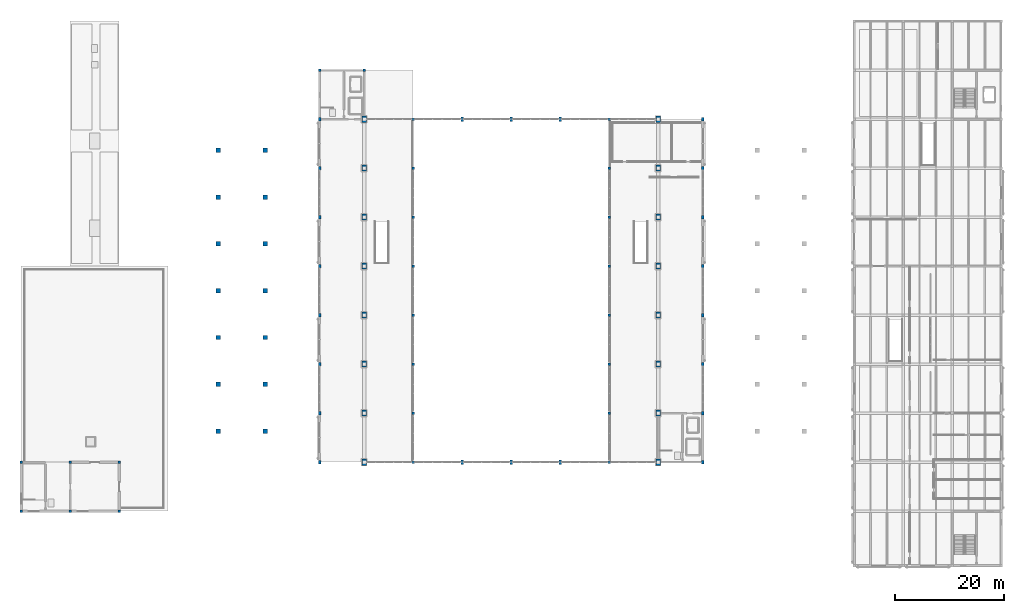
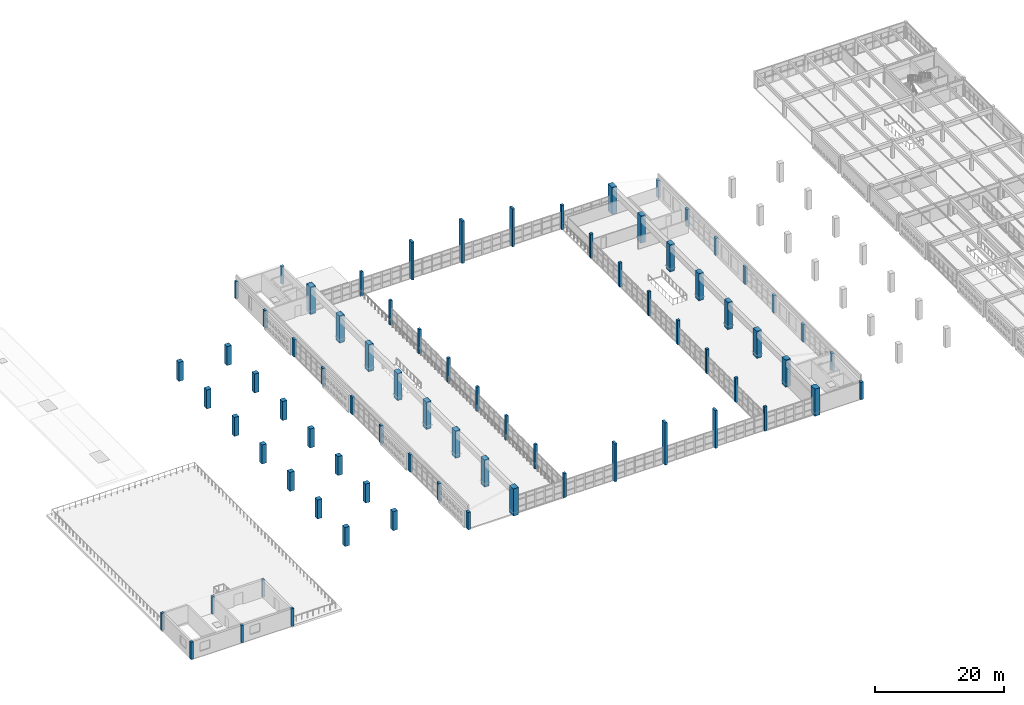
# One storey, part 1 of 80: 76 columns.
"""IFC4 building model written with IfcOpenShell, lengths in metres."""

import ifcopenshell
import ifcopenshell.guid

model = None  # the IFC model being written
_history = None  # IfcOwnerHistory: only IFC2X3 demands one
_inside = {}  # id of a spatial element -> (the spatial element, [elements in it])
_under = {}  # id of a project, library or spatial element -> (it, [spatial elements below it])
_declared = {}  # id of a project -> (the project, [libraries it declares])
_typed = {}  # id of a type object -> (the type object, [elements of that type])
_made_of = {}  # id of a material, layer set ... -> (it, [elements and type objects made of it])


def new_model(schema):
    """Start an empty IFC model of exactly this schema.

    Asked for "IFC4X3", IfcOpenShell would pick the latest addendum, in which some entities
    have other attributes; the version numbers below select the first issue.
    IFC2X3 requires an IfcOwnerHistory on every rooted entity: one is made here for all.
    """
    global model, _history
    if schema == "IFC4X3":
        model = ifcopenshell.file(schema_version=(4, 3, 0, 0))
    else:
        model = ifcopenshell.file(schema=schema)
    _inside.clear()
    _under.clear()
    _declared.clear()
    _typed.clear()
    _made_of.clear()
    _history = None
    if model.schema == "IFC2X3":
        org = make("IfcOrganization", Name="unknown")
        user = make(
            "IfcPersonAndOrganization",
            ThePerson=make("IfcPerson", FamilyName="unknown"),
            TheOrganization=org,
        )
        app = make(
            "IfcApplication",
            ApplicationDeveloper=org,
            Version="unknown",
            ApplicationFullName="unknown",
            ApplicationIdentifier="unknown",
        )
        _history = make(
            "IfcOwnerHistory",
            OwningUser=user,
            OwningApplication=app,
            ChangeAction="ADDED",
            CreationDate=0,
        )
    return model


def make(cls, **values):
    """One entity of the class cls with the attributes given. An attribute that is None is left unset."""
    return model.create_entity(
        cls, **{name: value for name, value in values.items() if value is not None}
    )


def rooted(cls, **values):
    """An entity with a GlobalId (a new one), such as an element, a storey or a relation."""
    return make(cls, GlobalId=ifcopenshell.guid.new(), OwnerHistory=_history, **values)


def si_unit(unit_type, name, prefix=None):
    """IfcSIUnit, for example si_unit("LENGTHUNIT", "METRE", prefix="MILLI")."""
    return make("IfcSIUnit", UnitType=unit_type, Prefix=prefix, Name=name)


def assignment(units):
    """IfcUnitAssignment: the units of a project."""
    return None if units is None else make("IfcUnitAssignment", Units=units)


def point(xyz):
    """IfcCartesianPoint."""
    return None if xyz is None else make("IfcCartesianPoint", Coordinates=xyz)


def direction(xyz):
    """IfcDirection."""
    return None if xyz is None else make("IfcDirection", DirectionRatios=xyz)


def frame(location, z_axis=None, x_axis=None):
    """IfcAxis2Placement3D, a coordinate frame: its origin and axes. An axis left out is left unset."""
    return make(
        "IfcAxis2Placement3D",
        Location=point(location),
        Axis=direction(z_axis),
        RefDirection=direction(x_axis),
    )


def frame_2d(location, x_axis=None):
    """IfcAxis2Placement2D, a coordinate frame in the plane: its origin and x axis."""
    return make(
        "IfcAxis2Placement2D", Location=point(location), RefDirection=direction(x_axis)
    )


def origin():
    """The frame at (0, 0, 0) with its axes left unset."""
    return frame((0.0, 0.0, 0.0))


def origin_2d():
    """The frame at (0, 0) in the plane with its x axis left unset."""
    return frame_2d((0.0, 0.0))


def place(relative_to, where):
    """IfcLocalPlacement: puts the frame where relative to a parent placement (None: the world)."""
    return make(
        "IfcLocalPlacement", PlacementRelTo=relative_to, RelativePlacement=where
    )


def context(
    kind, dimensions, precision=None, world=None, true_north=None, identifier=None
):
    """IfcGeometricRepresentationContext, for example the 3D "Model" context."""
    return make(
        "IfcGeometricRepresentationContext",
        ContextIdentifier=identifier,
        ContextType=kind,
        CoordinateSpaceDimension=dimensions,
        Precision=precision,
        WorldCoordinateSystem=world,
        TrueNorth=true_north,
    )


def subcontext(parent, identifier, kind, view, scale=None):
    """IfcGeometricRepresentationSubContext, for example "Body" below "Model"."""
    return make(
        "IfcGeometricRepresentationSubContext",
        ContextIdentifier=identifier,
        ContextType=kind,
        ParentContext=parent,
        TargetScale=scale,
        TargetView=view,
    )


def project(units=None, contexts=None):
    """IfcProject with its units and contexts."""
    return rooted(
        "IfcProject",
        Name="project",
        RepresentationContexts=contexts,
        UnitsInContext=assignment(units),
    )


def spatial(cls, under=None, at=None, **own):
    """A site, building, storey or space (cls), placed at a placement, below another one or the project."""
    s = rooted(cls, ObjectPlacement=at, **own)
    if under is not None:
        _under.setdefault(under.id(), (under, []))[1].append(s)
    return s


def profile(cls, at=None, kind="AREA", **sizes):
    """A parametric profile (cls). Its sizes go by their IFC names, for example OverallWidth=200.0."""
    return make(cls, ProfileType=kind, Position=at, **sizes)


def rectangle(**sizes):
    """IfcRectangleProfileDef."""
    return profile("IfcRectangleProfileDef", **sizes)


def extrude(swept, where, along, depth):
    """IfcExtrudedAreaSolid: the profile swept, set in the frame where, extruded along a direction by depth."""
    return make(
        "IfcExtrudedAreaSolid",
        SweptArea=swept,
        Position=where,
        ExtrudedDirection=direction(along),
        Depth=depth,
    )


def shape(context_of_items, identifier, shape_type, items):
    """IfcShapeRepresentation: the items that make up one representation, for example the "Body"."""
    return make(
        "IfcShapeRepresentation",
        ContextOfItems=context_of_items,
        RepresentationIdentifier=identifier,
        RepresentationType=shape_type,
        Items=items,
    )


def material(Name=None, Category=None):
    """IfcMaterial."""
    return make("IfcMaterial", Name=Name, Category=Category)


def material_profile(
    of_material, cross_section, Name=None, Category=None, Priority=None
):
    """IfcMaterialProfile: a cross section and its material."""
    return make(
        "IfcMaterialProfile",
        Name=Name,
        Material=of_material,
        Profile=cross_section,
        Priority=Priority,
        Category=Category,
    )


def profile_set(profiles, Name=None, composite=None):
    """IfcMaterialProfileSet."""
    return make(
        "IfcMaterialProfileSet",
        Name=Name,
        MaterialProfiles=profiles,
        CompositeProfile=composite,
    )


def made_of(thing, what):
    """Note that an element or type object is made of a material, layer set ...; save() writes the relation."""
    if what is not None:
        _made_of.setdefault(what.id(), (what, []))[1].append(thing)
    return thing


def type_object(cls, material=None, **own):
    """A type object (cls), such as IfcWallType, which elements share."""
    return made_of(rooted(cls, **own), material)


def element(
    cls,
    number,
    at=None,
    inside=None,
    cuts=None,
    type_object=None,
    material=None,
    context=None,
    identifier="Body",
    shape_type=None,
    held_by="IfcProductDefinitionShape",
    body=None,
    shapes=None,
    **own,
):
    """One element of the class cls, such as IfcWall. Its Tag is "e" and its number.

    at: its placement. inside: the storey or other place that contains it. cuts: it is an
    opening in that element (IfcRelVoidsElement). A single representation is given by context,
    identifier, shape_type and body (its items); several are given by shapes. held_by: the class
    of the entity that holds the representations. save() writes the other relations.
    """
    e = rooted(cls, Tag="e%d" % number, ObjectPlacement=at, **own)
    if body is not None:
        shapes = [shape(context, identifier, shape_type, body)]
    if shapes is not None:
        e.Representation = make(held_by, Representations=shapes)
    if inside is not None:
        _inside.setdefault(inside.id(), (inside, []))[1].append(e)
    if cuts is not None:
        rooted(
            "IfcRelVoidsElement", RelatingBuildingElement=cuts, RelatedOpeningElement=e
        )
    if type_object is not None:
        _typed.setdefault(type_object.id(), (type_object, []))[1].append(e)
    return made_of(e, material)


def aggregate(whole, parts):
    """IfcRelAggregates: a whole, such as a stair, and the parts it consists of."""
    return rooted("IfcRelAggregates", RelatingObject=whole, RelatedObjects=parts)


def save(model, path):
    """Write the relations noted so far, then the file.

    IfcRelAggregates (storeys below a building ...), IfcRelContainedInSpatialStructure (elements
    in a storey), IfcRelDefinesByType, IfcRelAssociatesMaterial and IfcRelDeclares: one each for
    every whole, place, type object, material and project.
    """
    for whole, parts in _under.values():
        aggregate(whole, parts)
    for where, things in _inside.values():
        rooted(
            "IfcRelContainedInSpatialStructure",
            RelatedElements=things,
            RelatingStructure=where,
        )
    for kind, things in _typed.values():
        rooted("IfcRelDefinesByType", RelatedObjects=things, RelatingType=kind)
    for what, things in _made_of.values():
        rooted("IfcRelAssociatesMaterial", RelatedObjects=things, RelatingMaterial=what)
    for by, libraries in _declared.values():
        rooted("IfcRelDeclares", RelatingContext=by, RelatedDefinitions=libraries)
    model.write(path)


model = new_model("IFC4")

# Units and contexts
model_context = context("Model", 3, precision=1e-05, world=origin(), true_north=direction((0.0, 1.0)))
body_context = subcontext(model_context, "Body", "Model", "MODEL_VIEW")
ifc_project = project(units=[si_unit("LENGTHUNIT", "METRE"), si_unit("AREAUNIT", "SQUARE_METRE"), si_unit("VOLUMEUNIT", "CUBIC_METRE"), si_unit("PLANEANGLEUNIT", "RADIAN"), si_unit("MASSUNIT", "GRAM", prefix="KILO")], contexts=[model_context])

# Site, building, storey
site_placement = place(None, origin())
site = spatial("IfcSite", under=ifc_project, at=site_placement, CompositionType="ELEMENT")
building_placement = place(site_placement, origin())
building = spatial("IfcBuilding", under=site, at=building_placement, Name="Ornek Quay Market", CompositionType="ELEMENT")
storey_placement = place(building_placement, frame((0.0, 0.0, 8.39990234375)))
storey = spatial("IfcBuildingStorey", under=building, at=storey_placement, Name="L02", CompositionType="ELEMENT", Elevation=8.39990234375)

# Columns
ifc_material_1 = material(Name="Concrete C45/55", Category="concrete")
ifc_material_profile_1 = material_profile(ifc_material_1, rectangle(XDim=0.85009765625, YDim=1.10009765625, at=origin_2d()), Name="RC 850x1100", Category="concrete")
ifc_profile_set_1 = profile_set([ifc_material_profile_1], Name="Concrete C45/55")
column_type_1 = type_object("IfcColumnType", Name="COL-ARCH-850x1100", PredefinedType="COLUMN", material=ifc_profile_set_1)
for number, where, z_axis, x_axis, name in (
    (1, (63.0, 38.0, 0.0), (0.0, 0.0, 1.0), (1.0, 0.0, 0.0), "Column C-AR2-003"),
    (2, (63.0, 47.0, 0.0), (0.0, 0.0, 1.0), (1.0, 0.0, 0.0), "Column C-AR2-006"),
    (3, (63.0, 56.0, 0.0), (0.0, 0.0, 1.0), (1.0, 0.0, 0.0), "Column C-AR2-009"),
    (4, (63.0, 65.0, 0.0), (0.0, 0.0, 1.0), (1.0, 0.0, 0.0), "Column C-AR2-012"),
    (5, (63.0, 74.0, 0.0), (0.0, 0.0, 1.0), (1.0, 0.0, 0.0), "Column C-AR2-015"),
    (6, (63.0, 83.0, 0.0), (0.0, 0.0, 1.0), (1.0, 0.0, 0.0), "Column C-AR2-018"),
    (7, (117.0, 38.0, 0.0), (0.0, 0.0, 1.0), (1.0, 0.0, 0.0), "Column C-AR2-021"),
    (8, (117.0, 47.0, 0.0), (0.0, 0.0, 1.0), (1.0, 0.0, 0.0), "Column C-AR2-024"),
    (9, (117.0, 56.0, 0.0), (0.0, 0.0, 1.0), (1.0, 0.0, 0.0), "Column C-AR2-027"),
    (10, (117.0, 65.0, 0.0), (0.0, 0.0, 1.0), (1.0, 0.0, 0.0), "Column C-AR2-030"),
    (11, (117.0, 74.0, 0.0), (0.0, 0.0, 1.0), (1.0, 0.0, 0.0), "Column C-AR2-033"),
    (12, (117.0, 83.0, 0.0), (0.0, 0.0, 1.0), (1.0, 0.0, 0.0), "Column C-AR2-036"),
):
    element("IfcColumn", number, at=place(storey_placement, frame(where, z_axis=z_axis, x_axis=x_axis)), inside=storey, type_object=column_type_1, Name=name, PredefinedType="COLUMN", context=body_context, shape_type="SweptSolid", body=[
        extrude(rectangle(XDim=0.85009765625, YDim=1.10009765625, at=origin_2d()), origin(), (0.0, 0.0, 1.0), 5.14013671875),
    ])
ifc_material_profile_2 = material_profile(ifc_material_1, rectangle(XDim=0.89990234375, YDim=1.199951171875, at=origin_2d()), Name="RC 900x1200", Category="concrete")
ifc_profile_set_2 = profile_set([ifc_material_profile_2], Name="Concrete C45/55")
column_type_2 = type_object("IfcColumnType", Name="COL-ARCH-900x1200", PredefinedType="COLUMN", material=ifc_profile_set_2)
for number, where, z_axis, x_axis, name in (
    (13, (63.0, 29.0, 0.0), (0.0, 0.0, 1.0), (1.0, 0.0, 0.0), "Column C-AR1-004"),
    (14, (63.0, 92.0, 0.0), (0.0, 0.0, 1.0), (1.0, 0.0, 0.0), "Column C-AR1-014"),
    (15, (117.0, 29.0, 0.0), (0.0, 0.0, 1.0), (1.0, 0.0, 0.0), "Column C-AR1-018"),
    (16, (117.0, 92.0, 0.0), (0.0, 0.0, 1.0), (1.0, 0.0, 0.0), "Column C-AR1-028"),
):
    element("IfcColumn", number, at=place(storey_placement, frame(where, z_axis=z_axis, x_axis=x_axis)), inside=storey, type_object=column_type_2, Name=name, PredefinedType="COLUMN", context=body_context, shape_type="SweptSolid", body=[
        extrude(rectangle(XDim=0.89990234375, YDim=1.199951171875, at=origin_2d()), origin(), (0.0, 0.0, 1.0), 5.14013671875),
    ])
ifc_material_2 = material(Name="Concrete C40/50", Category="concrete")
ifc_material_profile_3 = material_profile(ifc_material_2, rectangle(XDim=0.449951171875, YDim=0.64990234375, at=origin_2d()), Name="RC 450x650", Category="concrete")
ifc_profile_set_3 = profile_set([ifc_material_profile_3], Name="Concrete C40/50")
column_type_3 = type_object("IfcColumnType", Name="COL-MJ-450x650", PredefinedType="COLUMN", material=ifc_profile_set_3)
for number, where, z_axis, x_axis, name in (
    (17, (54.800048828125, 29.0, 0.0), (0.0, 0.0, 1.0), (1.0, 0.0, 0.0), "Column C-MJ2-008"),
    (18, (54.800048828125, 38.0, 0.0), (0.0, 0.0, 1.0), (1.0, 0.0, 0.0), "Column C-MJ2-010"),
    (19, (54.800048828125, 47.0, 0.0), (0.0, 0.0, 1.0), (1.0, 0.0, 0.0), "Column C-MJ2-012"),
    (20, (54.800048828125, 56.0, 0.0), (0.0, 0.0, 1.0), (1.0, 0.0, 0.0), "Column C-MJ2-014"),
    (21, (54.800048828125, 65.0, 0.0), (0.0, 0.0, 1.0), (1.0, 0.0, 0.0), "Column C-MJ2-016"),
    (22, (54.800048828125, 74.0, 0.0), (0.0, 0.0, 1.0), (1.0, 0.0, 0.0), "Column C-MJ2-018"),
    (23, (54.800048828125, 83.0, 0.0), (0.0, 0.0, 1.0), (1.0, 0.0, 0.0), "Column C-MJ2-020"),
    (24, (54.800048828125, 92.0, 0.0), (0.0, 0.0, 1.0), (1.0, 0.0, 0.0), "Column C-MJ2-022"),
    (25, (125.199951171875, 29.0, 0.0), (0.0, 0.0, 1.0), (1.0, 0.0, 0.0), "Column C-MJ2-027"),
    (26, (125.199951171875, 38.0, 0.0), (0.0, 0.0, 1.0), (1.0, 0.0, 0.0), "Column C-MJ2-029"),
    (27, (125.199951171875, 47.0, 0.0), (0.0, 0.0, 1.0), (1.0, 0.0, 0.0), "Column C-MJ2-031"),
    (28, (125.199951171875, 56.0, 0.0), (0.0, 0.0, 1.0), (1.0, 0.0, 0.0), "Column C-MJ2-033"),
    (29, (125.199951171875, 65.0, 0.0), (0.0, 0.0, 1.0), (1.0, 0.0, 0.0), "Column C-MJ2-035"),
    (30, (125.199951171875, 74.0, 0.0), (0.0, 0.0, 1.0), (1.0, 0.0, 0.0), "Column C-MJ2-037"),
    (31, (125.199951171875, 83.0, 0.0), (0.0, 0.0, 1.0), (1.0, 0.0, 0.0), "Column C-MJ2-039"),
    (32, (125.199951171875, 92.0, 0.0), (0.0, 0.0, 1.0), (1.0, 0.0, 0.0), "Column C-MJ2-041"),
):
    element("IfcColumn", number, at=place(storey_placement, frame(where, z_axis=z_axis, x_axis=x_axis)), inside=storey, type_object=column_type_3, Name=name, PredefinedType="COLUMN", context=body_context, shape_type="SweptSolid", body=[
        extrude(rectangle(XDim=0.449951171875, YDim=0.64990234375, at=origin_2d()), origin(), (0.0, 0.0, 1.0), 3.2900390625),
    ])
ifc_material_profile_4 = material_profile(ifc_material_2, rectangle(XDim=0.39990234375, YDim=0.89990234375, at=origin_2d()), Name="RC 400x900", Category="concrete")
ifc_profile_set_4 = profile_set([ifc_material_profile_4], Name="Concrete C40/50")
column_type_4 = type_object("IfcColumnType", Name="COL-PIER-400x900", PredefinedType="PILASTER", material=ifc_profile_set_4)
for number, where, z_axis, x_axis, name in (
    (33, (81.0, 29.0, 0.0), (0.0, 0.0, 1.0), (1.0, 0.0, 0.0), "Column C-PR1-001"),
    (34, (81.0, 92.0, 0.0), (0.0, 0.0, 1.0), (1.0, 0.0, 0.0), "Column C-PR1-002"),
):
    element("IfcColumn", number, at=place(storey_placement, frame(where, z_axis=z_axis, x_axis=x_axis)), inside=storey, type_object=column_type_4, Name=name, PredefinedType="PILASTER", context=body_context, shape_type="SweptSolid", body=[
        extrude(rectangle(XDim=0.39990234375, YDim=0.89990234375, at=origin_2d()), origin(), (0.0, 0.0, 1.0), 7.167236328125),
    ])
for number, where, z_axis, x_axis, name in (
    (35, (90.0, 29.0, 0.0), (0.0, 0.0, 1.0), (1.0, 0.0, 0.0), "Column C-PR1-003"),
    (36, (90.0, 92.0, 0.0), (0.0, 0.0, 1.0), (1.0, 0.0, 0.0), "Column C-PR1-004"),
):
    element("IfcColumn", number, at=place(storey_placement, frame(where, z_axis=z_axis, x_axis=x_axis)), inside=storey, type_object=column_type_4, Name=name, PredefinedType="PILASTER", context=body_context, shape_type="SweptSolid", body=[
        extrude(rectangle(XDim=0.39990234375, YDim=0.89990234375, at=origin_2d()), origin(), (0.0, 0.0, 1.0), 8.0),
    ])
for number, where, z_axis, x_axis, name in (
    (37, (99.0, 29.0, 0.0), (0.0, 0.0, 1.0), (1.0, 0.0, 0.0), "Column C-PR1-005"),
    (38, (99.0, 92.0, 0.0), (0.0, 0.0, 1.0), (1.0, 0.0, 0.0), "Column C-PR1-006"),
):
    element("IfcColumn", number, at=place(storey_placement, frame(where, z_axis=z_axis, x_axis=x_axis)), inside=storey, type_object=column_type_4, Name=name, PredefinedType="PILASTER", context=body_context, shape_type="SweptSolid", body=[
        extrude(rectangle(XDim=0.39990234375, YDim=0.89990234375, at=origin_2d()), origin(), (0.0, 0.0, 1.0), 7.167236328125),
    ])
ifc_material_profile_5 = material_profile(ifc_material_2, rectangle(XDim=0.449951171875, YDim=0.449951171875, at=origin_2d()), Name="RC 450x450", Category="concrete")
ifc_profile_set_5 = profile_set([ifc_material_profile_5], Name="Concrete C40/50")
column_type_5 = type_object("IfcColumnType", Name="COL-RC-450x450", PredefinedType="COLUMN", material=ifc_profile_set_5)
for number, where, z_axis, x_axis, name in (
    (39, (0.0, 20.0, 0.0), (0.0, 0.0, 1.0), (1.0, 0.0, 0.0), "Column C-45-001"),
    (40, (0.0, 29.0, 0.0), (0.0, 0.0, 1.0), (1.0, 0.0, 0.0), "Column C-45-002"),
    (41, (9.0, 20.0, 0.0), (0.0, 0.0, 1.0), (1.0, 0.0, 0.0), "Column C-45-003"),
    (42, (9.0, 29.0, 0.0), (0.0, 0.0, 1.0), (1.0, 0.0, 0.0), "Column C-45-004"),
    (43, (18.0, 20.0, 0.0), (0.0, 0.0, 1.0), (1.0, 0.0, 0.0), "Column C-45-005"),
    (44, (18.0, 29.0, 0.0), (0.0, 0.0, 1.0), (1.0, 0.0, 0.0), "Column C-45-006"),
    (45, (54.800048828125, 101.0, 0.0), (0.0, 0.0, 1.0), (1.0, 0.0, 0.0), "Column C-45-017"),
    (46, (63.0, 101.0, 0.0), (0.0, 0.0, 1.0), (1.0, 0.0, 0.0), "Column C-45-018"),
):
    element("IfcColumn", number, at=place(storey_placement, frame(where, z_axis=z_axis, x_axis=x_axis)), inside=storey, type_object=column_type_5, Name=name, PredefinedType="COLUMN", context=body_context, shape_type="SweptSolid", body=[
        extrude(rectangle(XDim=0.449951171875, YDim=0.449951171875, at=origin_2d()), origin(), (0.0, 0.0, 1.0), 3.2900390625),
    ])
for number, where, z_axis, x_axis, name in (
    (47, (72.0, 29.0, 0.0), (0.0, 0.0, 1.0), (1.0, 0.0, 0.0), "Column C-45-019"),
    (48, (72.0, 38.0, 0.0), (0.0, 0.0, 1.0), (1.0, 0.0, 0.0), "Column C-45-020"),
    (49, (72.0, 47.0, 0.0), (0.0, 0.0, 1.0), (1.0, 0.0, 0.0), "Column C-45-021"),
    (50, (72.0, 56.0, 0.0), (0.0, 0.0, 1.0), (1.0, 0.0, 0.0), "Column C-45-022"),
    (51, (72.0, 65.0, 0.0), (0.0, 0.0, 1.0), (1.0, 0.0, 0.0), "Column C-45-023"),
    (52, (72.0, 74.0, 0.0), (0.0, 0.0, 1.0), (1.0, 0.0, 0.0), "Column C-45-024"),
    (53, (72.0, 83.0, 0.0), (0.0, 0.0, 1.0), (1.0, 0.0, 0.0), "Column C-45-025"),
    (54, (72.0, 92.0, 0.0), (0.0, 0.0, 1.0), (1.0, 0.0, 0.0), "Column C-45-026"),
    (55, (108.0, 29.0, 0.0), (0.0, 0.0, 1.0), (1.0, 0.0, 0.0), "Column C-45-027"),
    (56, (108.0, 38.0, 0.0), (0.0, 0.0, 1.0), (1.0, 0.0, 0.0), "Column C-45-028"),
    (57, (108.0, 47.0, 0.0), (0.0, 0.0, 1.0), (1.0, 0.0, 0.0), "Column C-45-029"),
    (58, (108.0, 56.0, 0.0), (0.0, 0.0, 1.0), (1.0, 0.0, 0.0), "Column C-45-030"),
    (59, (108.0, 65.0, 0.0), (0.0, 0.0, 1.0), (1.0, 0.0, 0.0), "Column C-45-031"),
    (60, (108.0, 74.0, 0.0), (0.0, 0.0, 1.0), (1.0, 0.0, 0.0), "Column C-45-032"),
    (61, (108.0, 83.0, 0.0), (0.0, 0.0, 1.0), (1.0, 0.0, 0.0), "Column C-45-033"),
    (62, (108.0, 92.0, 0.0), (0.0, 0.0, 1.0), (1.0, 0.0, 0.0), "Column C-45-034"),
):
    element("IfcColumn", number, at=place(storey_placement, frame(where, z_axis=z_axis, x_axis=x_axis)), inside=storey, type_object=column_type_5, Name=name, PredefinedType="COLUMN", context=body_context, shape_type="SweptSolid", body=[
        extrude(rectangle(XDim=0.449951171875, YDim=0.449951171875, at=origin_2d()), origin(), (0.0, 0.0, 1.0), 4.577880859375),
    ])
ifc_material_profile_6 = material_profile(ifc_material_2, rectangle(XDim=0.800048828125, YDim=0.800048828125, at=origin_2d()), Name="RC 800x800", Category="concrete")
ifc_profile_set_6 = profile_set([ifc_material_profile_6], Name="Concrete C40/50")
column_type_6 = type_object("IfcColumnType", Name="COL-UMB-800x800", PredefinedType="COLUMN", material=ifc_profile_set_6)
for number, where, z_axis, x_axis, name in (
    (63, (36.199951171875, 34.699951171875, 0.0), (0.0, 0.0, 1.0), (1.0, 0.0, 0.0), "Umbrella column UMB-W01 (L02)"),
    (64, (36.199951171875, 43.300048828125, 0.0), (0.0, 0.0, 1.0), (1.0, 0.0, 0.0), "Umbrella column UMB-W02 (L02)"),
    (65, (36.199951171875, 51.89990234375, 0.0), (0.0, 0.0, 1.0), (1.0, 0.0, 0.0), "Umbrella column UMB-W03 (L02)"),
    (66, (36.199951171875, 60.5, 0.0), (0.0, 0.0, 1.0), (1.0, 0.0, 0.0), "Umbrella column UMB-W04 (L02)"),
    (67, (36.199951171875, 69.10009765625, 0.0), (0.0, 0.0, 1.0), (1.0, 0.0, 0.0), "Umbrella column UMB-W05 (L02)"),
    (68, (36.199951171875, 77.699951171875, 0.0), (0.0, 0.0, 1.0), (1.0, 0.0, 0.0), "Umbrella column UMB-W06 (L02)"),
    (69, (36.199951171875, 86.300048828125, 0.0), (0.0, 0.0, 1.0), (1.0, 0.0, 0.0), "Umbrella column UMB-W07 (L02)"),
    (70, (44.800048828125, 34.699951171875, 0.0), (0.0, 0.0, 1.0), (1.0, 0.0, 0.0), "Umbrella column UMB-W08 (L02)"),
    (71, (44.800048828125, 43.300048828125, 0.0), (0.0, 0.0, 1.0), (1.0, 0.0, 0.0), "Umbrella column UMB-W09 (L02)"),
    (72, (44.800048828125, 51.89990234375, 0.0), (0.0, 0.0, 1.0), (1.0, 0.0, 0.0), "Umbrella column UMB-W10 (L02)"),
    (73, (44.800048828125, 60.5, 0.0), (0.0, 0.0, 1.0), (1.0, 0.0, 0.0), "Umbrella column UMB-W11 (L02)"),
    (74, (44.800048828125, 69.10009765625, 0.0), (0.0, 0.0, 1.0), (1.0, 0.0, 0.0), "Umbrella column UMB-W12 (L02)"),
    (75, (44.800048828125, 77.699951171875, 0.0), (0.0, 0.0, 1.0), (1.0, 0.0, 0.0), "Umbrella column UMB-W13 (L02)"),
    (76, (44.800048828125, 86.300048828125, 0.0), (0.0, 0.0, 1.0), (1.0, 0.0, 0.0), "Umbrella column UMB-W14 (L02)"),
):
    element("IfcColumn", number, at=place(storey_placement, frame(where, z_axis=z_axis, x_axis=x_axis)), inside=storey, type_object=column_type_6, Name=name, PredefinedType="COLUMN", context=body_context, shape_type="SweptSolid", body=[
        extrude(rectangle(XDim=0.800048828125, YDim=0.800048828125, at=origin_2d()), origin(), (0.0, 0.0, 1.0), 3.60009765625),
    ])

save(model, "model.ifc")
